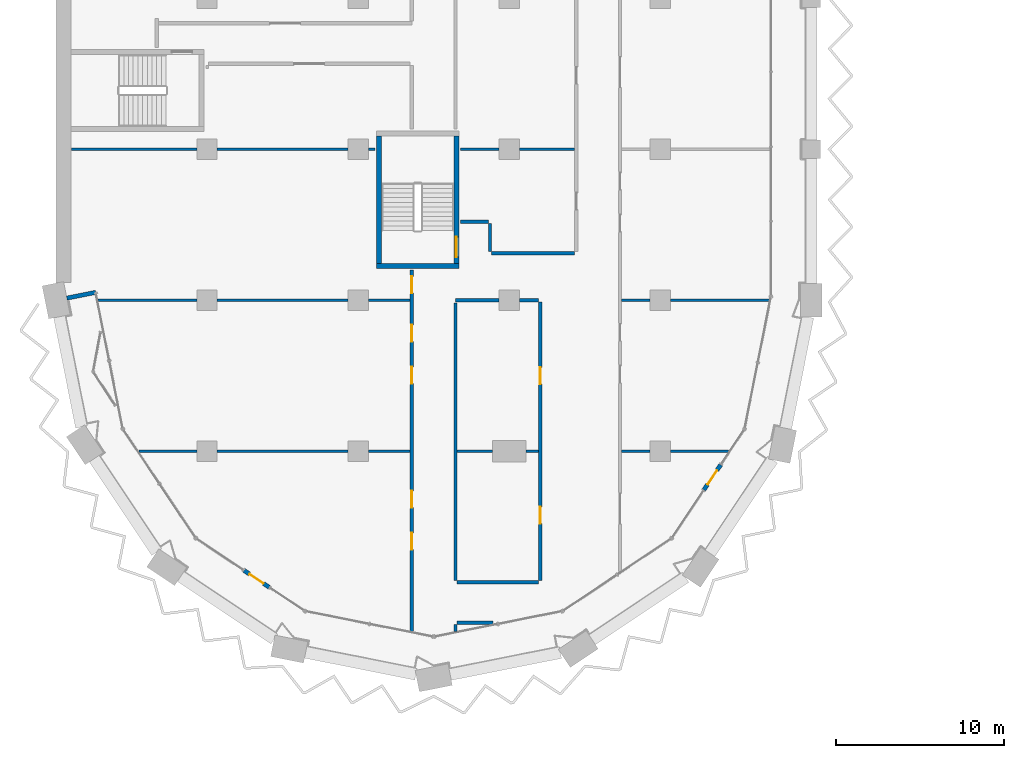
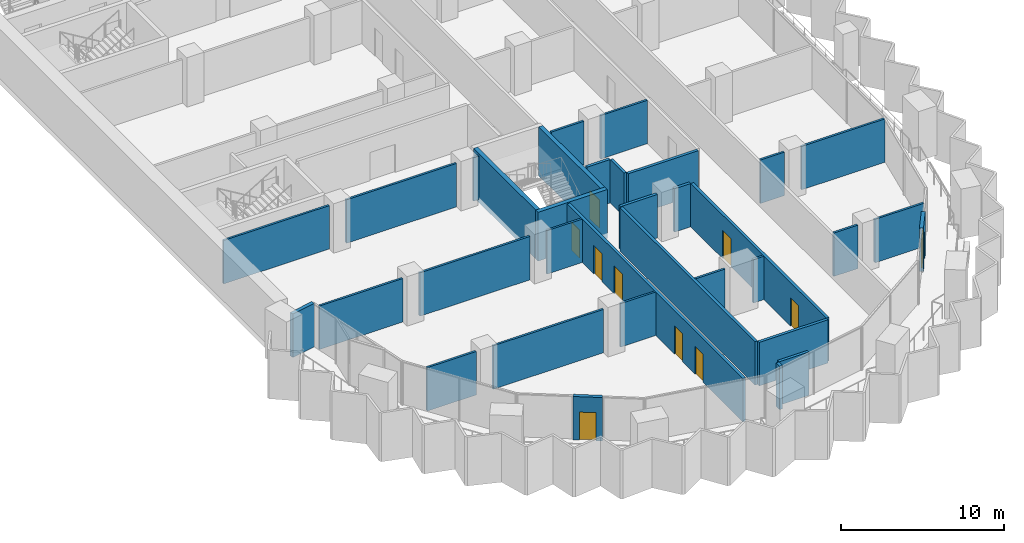
# One storey, part 10 of 22: 34 walls, 10 doors, 10 openings.
"""IFC4 building model written with IfcOpenShell, lengths in metres."""

from ifc_helpers import new_model, si_unit, direction, frame, frame_2d, origin, place, context, subcontext, project, spatial, rectangle, extrude, material, layer, layer_set, type_object, element, fill, save


model = new_model("IFC4")

# Units and contexts
model_context = context("Model", 3, precision=1e-05, world=origin(), true_north=direction((0.0, 1.0)))
body_context = subcontext(model_context, "Body", "Model", "MODEL_VIEW")
ifc_project = project(units=[si_unit("LENGTHUNIT", "METRE"), si_unit("AREAUNIT", "SQUARE_METRE"), si_unit("VOLUMEUNIT", "CUBIC_METRE"), si_unit("PLANEANGLEUNIT", "RADIAN"), si_unit("MASSUNIT", "GRAM", prefix="KILO")], contexts=[model_context])

# Site, building, storey
site_placement = place(None, origin())
site = spatial("IfcSite", under=ifc_project, at=site_placement, CompositionType="ELEMENT")
building_placement = place(site_placement, origin())
building = spatial("IfcBuilding", under=site, at=building_placement, Name="Hunhe Ridgeline Campus", CompositionType="ELEMENT")
storey_placement = place(building_placement, frame((0.0, 0.0, 174.5)))
storey = spatial("IfcBuildingStorey", under=building, at=storey_placement, Name="L44", CompositionType="ELEMENT", Elevation=174.5)

# Walls
ifc_material_1 = material(Name="Concrete C30", Category="concrete")
ifc_layer_1 = layer(ifc_material_1, 0.25)
ifc_layer_set_1 = layer_set([ifc_layer_1], Name="Corner return wall 250 Concrete C30")
wall_type_1 = type_object("IfcWallType", Name="Corner return wall 250 Concrete C30", PredefinedType="SOLIDWALL", material=ifc_layer_set_1)
wall_1_placement = place(storey_placement, frame((0.637451171875, 27.127685546875, 0.0), z_axis=(0.0, 0.0, 1.0), x_axis=(0.980842591884, 0.194801976239, 0.0)))
element("IfcWall", 1, at=wall_1_placement, inside=storey, type_object=wall_type_1, Name="Corner return wall 1", PredefinedType="SOLIDWALL", context=body_context, shape_type="SweptSolid", body=[
    extrude(rectangle(XDim=1.750732421875, YDim=0.25, at=frame_2d((0.87548828125, 0.0))), origin(), (0.0, 0.0, 1.0), 3.25),
])
ifc_material_2 = material(Name="Gypsum board partition")
ifc_layer_2 = layer(ifc_material_2, 0.199951171875)
ifc_layer_set_2 = layer_set([ifc_layer_2], Name="Corridor partition 200 gypsum board on steel studs")
wall_type_2 = type_object("IfcWallType", Name="Corridor partition 200 gypsum board on steel studs", PredefinedType="PARTITIONING", material=ifc_layer_set_2)
wall_2_placement = place(storey_placement, frame((26.021728515625, 7.7900390625, 0.0), z_axis=(0.0, 0.0, 1.0), x_axis=(-1.0, 0.0, 0.0)))
element("IfcWall", 2, at=wall_2_placement, inside=storey, type_object=wall_type_2, Name="F-L44-wall-001", PredefinedType="PARTITIONING", context=body_context, shape_type="SweptSolid", body=[
    extrude(rectangle(XDim=2.121826171875, YDim=0.199951171875, at=frame_2d((1.06103515625, 0.0))), origin(), (0.0, 0.0, 1.0), 3.25),
])
wall_3_placement = place(storey_placement, frame((23.89990234375, 10.18994140625, 0.0), z_axis=(0.0, 0.0, 1.0), x_axis=(1.0, 0.0, 0.0)))
element("IfcWall", 3, at=wall_3_placement, inside=storey, type_object=wall_type_2, Name="F-L44-wall-002", PredefinedType="PARTITIONING", context=body_context, shape_type="SweptSolid", body=[
    extrude(rectangle(XDim=4.85009765625, YDim=0.199951171875, at=frame_2d((2.425048828125, 0.0))), origin(), (0.0, 0.0, 1.0), 3.25),
])
wall_4_placement = place(storey_placement, frame((26.39990234375, 27.0, 0.0), z_axis=(0.0, 0.0, 1.0), x_axis=(-1.0, 0.0, 0.0)))
element("IfcWall", 4, at=wall_4_placement, inside=storey, type_object=wall_type_2, Name="F-L44-wall-010", PredefinedType="PARTITIONING", context=body_context, shape_type="SweptSolid", body=[
    extrude(rectangle(XDim=2.599853515625, YDim=0.199951171875, at=frame_2d((1.2998046875, 0.0))), origin(), (0.0, 0.0, 1.0), 3.25),
])
wall_5_placement = place(storey_placement, frame((28.75, 27.0, 0.0), z_axis=(0.0, 0.0, 1.0), x_axis=(-1.0, 0.0, 0.0)))
element("IfcWall", 5, at=wall_5_placement, inside=storey, type_object=wall_type_2, Name="F-L44-wall-011", PredefinedType="PARTITIONING", context=body_context, shape_type="SweptSolid", body=[
    extrude(rectangle(XDim=1.14990234375, YDim=0.199951171875, at=frame_2d((0.574951171875, 0.0))), origin(), (0.0, 0.0, 1.0), 3.25),
])
wall_6_placement = place(storey_placement, frame((25.949951171875, 29.799072265625, 0.0), z_axis=(0.0, 0.0, 1.0), x_axis=(1.0, 0.0, 0.0)))
element("IfcWall", 6, at=wall_6_placement, inside=storey, type_object=wall_type_2, Name="F-L44-wall-017", PredefinedType="PARTITIONING", context=body_context, shape_type="SweptSolid", body=[
    extrude(rectangle(XDim=4.949951171875, YDim=0.199951171875, at=frame_2d((2.47509765625, 0.0))), origin(), (0.0, 0.0, 1.0), 3.25),
])
wall_7_placement = place(storey_placement, frame((24.10400390625, 31.675048828125, 0.0), z_axis=(0.0, 0.0, 1.0), x_axis=(1.0, 0.0, 0.0)))
element("IfcWall", 7, at=wall_7_placement, inside=storey, type_object=wall_type_2, Name="F-L44-wall-018", PredefinedType="PARTITIONING", context=body_context, shape_type="SweptSolid", body=[
    extrude(rectangle(XDim=1.64599609375, YDim=0.199951171875, at=frame_2d((0.822998046875, 0.0))), origin(), (0.0, 0.0, 1.0), 3.25),
])

# Wall, openings, doors
wall_8_placement = place(storey_placement, frame((21.199951171875, 7.26171875, 0.0), z_axis=(0.0, 0.0, 1.0), x_axis=(0.0, 1.0, 0.0)))
wall_8 = element("IfcWall", 8, at=wall_8_placement, inside=storey, type_object=wall_type_2, Name="F-L44-wall-063", PredefinedType="PARTITIONING", context=body_context, shape_type="SweptSolid", body=[
    extrude(rectangle(XDim=21.5341796875, YDim=0.199951171875, at=frame_2d((10.76708984375, 0.0))), origin(), (0.0, 0.0, 1.0), 3.25),
])
opening_1_placement = place(wall_8_placement, frame((4.883544921875, 0.0, 0.0)))
opening_1 = element("IfcOpeningElement", 9, at=opening_1_placement, cuts=wall_8, Name="Opening RD1-001", PredefinedType="OPENING", context=body_context, shape_type="SweptSolid", body=[
    extrude(rectangle(XDim=1.0, YDim=2.10009765625, at=frame_2d((0.5, 1.050048828125))), frame((0.0, 0.10009765625, 0.0), z_axis=(0.0, -1.0, 0.0), x_axis=(1.0, 0.0, 0.0)), (0.0, 0.0, 1.0), 0.199951171875),
])
opening_2_placement = place(wall_8_placement, frame((7.383544921875, 0.0, 0.0)))
opening_2 = element("IfcOpeningElement", 10, at=opening_2_placement, cuts=wall_8, Name="Opening RD1-004", PredefinedType="OPENING", context=body_context, shape_type="SweptSolid", body=[
    extrude(rectangle(XDim=1.0, YDim=2.10009765625, at=frame_2d((0.5, 1.050048828125))), frame((0.0, 0.10009765625, 0.0), z_axis=(0.0, -1.0, 0.0), x_axis=(1.0, 0.0, 0.0)), (0.0, 0.0, 1.0), 0.199951171875),
])
opening_3_placement = place(wall_8_placement, frame((14.7744140625, 0.0, 0.0)))
opening_3 = element("IfcOpeningElement", 11, at=opening_3_placement, cuts=wall_8, Name="Opening RD1-005", PredefinedType="OPENING", context=body_context, shape_type="SweptSolid", body=[
    extrude(rectangle(XDim=1.0, YDim=2.10009765625, at=frame_2d((0.5, 1.050048828125))), frame((0.0, 0.10009765625, 0.0), z_axis=(0.0, -1.0, 0.0), x_axis=(1.0, 0.0, 0.0)), (0.0, 0.0, 1.0), 0.199951171875),
])
opening_4_placement = place(wall_8_placement, frame((17.2744140625, 0.0, 0.0)))
opening_4 = element("IfcOpeningElement", 12, at=opening_4_placement, cuts=wall_8, Name="Opening RD1-008", PredefinedType="OPENING", context=body_context, shape_type="SweptSolid", body=[
    extrude(rectangle(XDim=1.0, YDim=2.10009765625, at=frame_2d((0.5, 1.050048828125))), frame((0.0, 0.10009765625, 0.0), z_axis=(0.0, -1.0, 0.0), x_axis=(1.0, 0.0, 0.0)), (0.0, 0.0, 1.0), 0.199951171875),
])
opening_5_placement = place(wall_8_placement, frame((20.157958984375, 0.0, 0.0)))
opening_5 = element("IfcOpeningElement", 13, at=opening_5_placement, cuts=wall_8, Name="Opening RD1-010", PredefinedType="OPENING", context=body_context, shape_type="SweptSolid", body=[
    extrude(rectangle(XDim=1.0, YDim=2.10009765625, at=frame_2d((0.5, 1.050048828125))), frame((0.0, 0.10009765625, 0.0), z_axis=(0.0, -1.0, 0.0), x_axis=(1.0, 0.0, 0.0)), (0.0, 0.0, 1.0), 0.199951171875),
])
ifc_material_3 = material(Name="Timber door leaf", Category="wood")
door_type_1 = type_object("IfcDoorType", Name="Single fire door 1000x2100 timber FD60", OperationType="NOTDEFINED", PredefinedType="DOOR", material=ifc_material_3)
door_1_placement = place(opening_1_placement, frame((1.0, 0.0, 0.0), z_axis=(0.0, 0.0, 1.0), x_axis=(-1.0, 0.0, 0.0)))
door_1 = element("IfcDoor", 14, at=door_1_placement, inside=storey, type_object=door_type_1, Name="F-L44-door-001", OperationType="SINGLE_SWING_RIGHT", OverallHeight=2.10009765625, OverallWidth=1.0, PredefinedType="DOOR", context=body_context, shape_type="SweptSolid", body=[
    extrude(rectangle(XDim=1.0, YDim=2.10009765625, at=frame_2d((0.5, 1.050048828125))), frame((0.0, 0.02490234375, 0.0), z_axis=(0.0, -1.0, 0.0), x_axis=(1.0, 0.0, 0.0)), (0.0, 0.0, 1.0), 0.050048828125),
])
fill(opening_1, door_1)
door_2_placement = place(opening_2_placement, frame((1.0, 0.0, 0.0), z_axis=(0.0, 0.0, 1.0), x_axis=(-1.0, 0.0, 0.0)))
door_2 = element("IfcDoor", 15, at=door_2_placement, inside=storey, type_object=door_type_1, Name="F-L44-door-004", OperationType="SINGLE_SWING_LEFT", OverallHeight=2.10009765625, OverallWidth=1.0, PredefinedType="DOOR", context=body_context, shape_type="SweptSolid", body=[
    extrude(rectangle(XDim=1.0, YDim=2.10009765625, at=frame_2d((0.5, 1.050048828125))), frame((0.0, 0.02490234375, 0.0), z_axis=(0.0, -1.0, 0.0), x_axis=(1.0, 0.0, 0.0)), (0.0, 0.0, 1.0), 0.050048828125),
])
fill(opening_2, door_2)
door_3_placement = place(opening_3_placement, frame((1.0, 0.0, 0.0), z_axis=(0.0, 0.0, 1.0), x_axis=(-1.0, 0.0, 0.0)))
door_3 = element("IfcDoor", 16, at=door_3_placement, inside=storey, type_object=door_type_1, Name="F-L44-door-005", OperationType="SINGLE_SWING_LEFT", OverallHeight=2.10009765625, OverallWidth=1.0, PredefinedType="DOOR", context=body_context, shape_type="SweptSolid", body=[
    extrude(rectangle(XDim=1.0, YDim=2.10009765625, at=frame_2d((0.5, 1.050048828125))), frame((0.0, 0.02490234375, 0.0), z_axis=(0.0, -1.0, 0.0), x_axis=(1.0, 0.0, 0.0)), (0.0, 0.0, 1.0), 0.050048828125),
])
fill(opening_3, door_3)
door_4_placement = place(opening_4_placement, frame((1.0, 0.0, 0.0), z_axis=(0.0, 0.0, 1.0), x_axis=(-1.0, 0.0, 0.0)))
door_4 = element("IfcDoor", 17, at=door_4_placement, inside=storey, type_object=door_type_1, Name="F-L44-door-008", OperationType="SINGLE_SWING_LEFT", OverallHeight=2.10009765625, OverallWidth=1.0, PredefinedType="DOOR", context=body_context, shape_type="SweptSolid", body=[
    extrude(rectangle(XDim=1.0, YDim=2.10009765625, at=frame_2d((0.5, 1.050048828125))), frame((0.0, 0.02490234375, 0.0), z_axis=(0.0, -1.0, 0.0), x_axis=(1.0, 0.0, 0.0)), (0.0, 0.0, 1.0), 0.050048828125),
])
fill(opening_4, door_4)
door_5_placement = place(opening_5_placement, frame((1.0, 0.0, 0.0), z_axis=(0.0, 0.0, 1.0), x_axis=(-1.0, 0.0, 0.0)))
door_5 = element("IfcDoor", 18, at=door_5_placement, inside=storey, type_object=door_type_1, Name="F-L44-door-010", OperationType="SINGLE_SWING_LEFT", OverallHeight=2.10009765625, OverallWidth=1.0, PredefinedType="DOOR", context=body_context, shape_type="SweptSolid", body=[
    extrude(rectangle(XDim=1.0, YDim=2.10009765625, at=frame_2d((0.5, 1.050048828125))), frame((0.0, 0.02490234375, 0.0), z_axis=(0.0, -1.0, 0.0), x_axis=(1.0, 0.0, 0.0)), (0.0, 0.0, 1.0), 0.050048828125),
])
fill(opening_5, door_5)

# Walls
wall_9_placement = place(storey_placement, frame((23.800048828125, 7.68994140625, 0.0), z_axis=(0.0, 0.0, 1.0), x_axis=(0.0, -1.0, 0.0)))
element("IfcWall", 19, at=wall_9_placement, inside=storey, type_object=wall_type_2, Name="F-L44-wall-066", PredefinedType="PARTITIONING", context=body_context, shape_type="SweptSolid", body=[
    extrude(rectangle(XDim=0.42822265625, YDim=0.199951171875, at=frame_2d((0.214111328125, 0.0))), origin(), (0.0, 0.0, 1.0), 3.25),
])
wall_10_placement = place(storey_placement, frame((23.800048828125, 26.83837890625, 0.0), z_axis=(0.0, 0.0, 1.0), x_axis=(0.0, -1.0, 0.0)))
element("IfcWall", 20, at=wall_10_placement, inside=storey, type_object=wall_type_2, Name="F-L44-wall-067", PredefinedType="PARTITIONING", context=body_context, shape_type="SweptSolid", body=[
    extrude(rectangle(XDim=16.54833984375, YDim=0.199951171875, at=frame_2d((8.274169921875, 0.0))), origin(), (0.0, 0.0, 1.0), 3.25),
])
wall_11_placement = place(storey_placement, frame((25.85009765625, 31.574951171875, 0.0), z_axis=(0.0, 0.0, 1.0), x_axis=(0.0, -1.0, 0.0)))
element("IfcWall", 21, at=wall_11_placement, inside=storey, type_object=wall_type_2, Name="F-L44-wall-069", PredefinedType="PARTITIONING", context=body_context, shape_type="SweptSolid", body=[
    extrude(rectangle(XDim=1.676025390625, YDim=0.199951171875, at=frame_2d((0.837890625, 0.0))), origin(), (0.0, 0.0, 1.0), 3.25),
])

# Wall, openings, doors
wall_12_placement = place(storey_placement, frame((28.85009765625, 10.2900390625, 0.0), z_axis=(0.0, 0.0, 1.0), x_axis=(0.0, 1.0, 0.0)))
wall_12 = element("IfcWall", 22, at=wall_12_placement, inside=storey, type_object=wall_type_2, Name="F-L44-wall-070", PredefinedType="PARTITIONING", context=body_context, shape_type="SweptSolid", body=[
    extrude(rectangle(XDim=16.60986328125, YDim=0.199951171875, at=frame_2d((8.304931640625, 0.0))), origin(), (0.0, 0.0, 1.0), 3.25),
])
opening_6_placement = place(wall_12_placement, frame((3.40087890625, 0.0, 0.0)))
opening_6 = element("IfcOpeningElement", 23, at=opening_6_placement, cuts=wall_12, Name="Opening RD1-002", PredefinedType="OPENING", context=body_context, shape_type="SweptSolid", body=[
    extrude(rectangle(XDim=1.0, YDim=2.10009765625, at=frame_2d((0.5, 1.050048828125))), frame((0.0, 0.10009765625, 0.0), z_axis=(0.0, -1.0, 0.0), x_axis=(1.0, 0.0, 0.0)), (0.0, 0.0, 1.0), 0.199951171875),
])
opening_7_placement = place(wall_12_placement, frame((11.705810546875, 0.0, 0.0)))
opening_7 = element("IfcOpeningElement", 24, at=opening_7_placement, cuts=wall_12, Name="Opening RD1-006", PredefinedType="OPENING", context=body_context, shape_type="SweptSolid", body=[
    extrude(rectangle(XDim=1.0, YDim=2.10009765625, at=frame_2d((0.5, 1.050048828125))), frame((0.0, 0.10009765625, 0.0), z_axis=(0.0, -1.0, 0.0), x_axis=(1.0, 0.0, 0.0)), (0.0, 0.0, 1.0), 0.199951171875),
])
door_6_placement = place(opening_6_placement, origin())
door_6 = element("IfcDoor", 25, at=door_6_placement, inside=storey, type_object=door_type_1, Name="F-L44-door-002", OperationType="SINGLE_SWING_RIGHT", OverallHeight=2.10009765625, OverallWidth=1.0, PredefinedType="DOOR", context=body_context, shape_type="SweptSolid", body=[
    extrude(rectangle(XDim=1.0, YDim=2.10009765625, at=frame_2d((0.5, 1.050048828125))), frame((0.0, 0.02490234375, 0.0), z_axis=(0.0, -1.0, 0.0), x_axis=(1.0, 0.0, 0.0)), (0.0, 0.0, 1.0), 0.050048828125),
])
fill(opening_6, door_6)
door_7_placement = place(opening_7_placement, origin())
door_7 = element("IfcDoor", 26, at=door_7_placement, inside=storey, type_object=door_type_1, Name="F-L44-door-006", OperationType="SINGLE_SWING_RIGHT", OverallHeight=2.10009765625, OverallWidth=1.0, PredefinedType="DOOR", context=body_context, shape_type="SweptSolid", body=[
    extrude(rectangle(XDim=1.0, YDim=2.10009765625, at=frame_2d((0.5, 1.050048828125))), frame((0.0, 0.02490234375, 0.0), z_axis=(0.0, -1.0, 0.0), x_axis=(1.0, 0.0, 0.0)), (0.0, 0.0, 1.0), 0.050048828125),
])
fill(opening_7, door_7)

# Wall, opening, door
ifc_layer_3 = layer(ifc_material_1, 0.25)
ifc_layer_set_3 = layer_set([ifc_layer_3], Name="Loggia door pier wall 250 Concrete C30")
wall_type_3 = type_object("IfcWallType", Name="Loggia door pier wall 250 Concrete C30", PredefinedType="SOLIDWALL", material=ifc_layer_set_3)
wall_13_placement = place(storey_placement, frame((11.19970703125, 10.897705078125, 0.0), z_axis=(0.0, 0.0, 1.0), x_axis=(0.83146554274, -0.555576323502, 0.0)))
wall_13 = element("IfcWall", 27, at=wall_13_placement, inside=storey, type_object=wall_type_3, Name="Loggia door pier 1", PredefinedType="SOLIDWALL", context=body_context, shape_type="SweptSolid", body=[
    extrude(rectangle(XDim=1.800048828125, YDim=0.25, at=frame_2d((0.89990234375, 0.0))), origin(), (0.0, 0.0, 1.0), 3.25),
])
opening_8_placement = place(wall_13_placement, frame((0.39990234375, 0.0, 0.0)))
opening_8 = element("IfcOpeningElement", 28, at=opening_8_placement, cuts=wall_13, Name="Opening BD302", PredefinedType="OPENING", context=body_context, shape_type="SweptSolid", body=[
    extrude(rectangle(XDim=1.0, YDim=2.10009765625, at=frame_2d((0.5, 1.050048828125))), frame((0.0, 0.125, 0.0), z_axis=(0.0, -1.0, 0.0), x_axis=(1.0, 0.0, 0.0)), (0.0, 0.0, 1.0), 0.25),
])
ifc_material_4 = material(Name="Aluminium 6063", Category="aluminium")
door_type_2 = type_object("IfcDoorType", Name="Loggia glazed door 1000x2100", OperationType="NOTDEFINED", PredefinedType="DOOR", material=ifc_material_4)
door_8_placement = place(opening_8_placement, frame((1.0, 0.0, 0.0), z_axis=(0.0, 0.0, 1.0), x_axis=(-1.0, 0.0, 0.0)))
door_8 = element("IfcDoor", 29, at=door_8_placement, inside=storey, type_object=door_type_2, Name="Loggia door BD302", OperationType="SINGLE_SWING_LEFT", OverallHeight=2.10009765625, OverallWidth=1.0, PredefinedType="DOOR", context=body_context, shape_type="SweptSolid", body=[
    extrude(rectangle(XDim=1.0, YDim=2.10009765625, at=frame_2d((0.5, 1.050048828125))), frame((0.0, 0.02490234375, 0.0), z_axis=(0.0, -1.0, 0.0), x_axis=(1.0, 0.0, 0.0)), (0.0, 0.0, 1.0), 0.050048828125),
])
fill(opening_8, door_8)

wall_14_placement = place(storey_placement, frame((38.602294921875, 15.69970703125, 0.0), z_axis=(0.0, 0.0, 1.0), x_axis=(0.555576323502, 0.83146554274, 0.0)))
wall_14 = element("IfcWall", 30, at=wall_14_placement, inside=storey, type_object=wall_type_3, Name="Loggia door pier 2", PredefinedType="SOLIDWALL", context=body_context, shape_type="SweptSolid", body=[
    extrude(rectangle(XDim=1.800048828125, YDim=0.25, at=frame_2d((0.89990234375, 0.0))), origin(), (0.0, 0.0, 1.0), 3.25),
])
opening_9_placement = place(wall_14_placement, frame((0.39990234375, 0.0, 0.0)))
opening_9 = element("IfcOpeningElement", 31, at=opening_9_placement, cuts=wall_14, Name="Opening BD304", PredefinedType="OPENING", context=body_context, shape_type="SweptSolid", body=[
    extrude(rectangle(XDim=1.0, YDim=2.10009765625, at=frame_2d((0.5, 1.050048828125))), frame((0.0, 0.125, 0.0), z_axis=(0.0, -1.0, 0.0), x_axis=(1.0, 0.0, 0.0)), (0.0, 0.0, 1.0), 0.25),
])
door_9_placement = place(opening_9_placement, frame((1.0, 0.0, 0.0), z_axis=(0.0, 0.0, 1.0), x_axis=(-1.0, 0.0, 0.0)))
door_9 = element("IfcDoor", 32, at=door_9_placement, inside=storey, type_object=door_type_2, Name="Loggia door BD304", OperationType="SINGLE_SWING_LEFT", OverallHeight=2.10009765625, OverallWidth=1.0, PredefinedType="DOOR", context=body_context, shape_type="SweptSolid", body=[
    extrude(rectangle(XDim=1.0, YDim=2.10009765625, at=frame_2d((0.5, 1.050048828125))), frame((0.0, 0.02490234375, 0.0), z_axis=(0.0, -1.0, 0.0), x_axis=(1.0, 0.0, 0.0)), (0.0, 0.0, 1.0), 0.050048828125),
])
fill(opening_9, door_9)

# Walls
ifc_layer_4 = layer(ifc_material_2, 0.14990234375)
ifc_layer_set_4 = layer_set([ifc_layer_4], Name="Room partition 150 gypsum board on steel studs")
wall_type_4 = type_object("IfcWallType", Name="Room partition 150 gypsum board on steel studs", PredefinedType="PARTITIONING", material=ifc_layer_set_4)
wall_15_placement = place(storey_placement, frame((4.925537109375, 18.0, 0.0), z_axis=(0.0, 0.0, 1.0), x_axis=(1.0, 0.0, 0.0)))
element("IfcWall", 33, at=wall_15_placement, inside=storey, type_object=wall_type_4, Name="F-L44-wall-003", PredefinedType="PARTITIONING", context=body_context, shape_type="SweptSolid", body=[
    extrude(rectangle(XDim=3.474365234375, YDim=0.14990234375, at=frame_2d((1.7373046875, 0.0))), origin(), (0.0, 0.0, 1.0), 3.25),
])
wall_16_placement = place(storey_placement, frame((9.60009765625, 18.0, 0.0), z_axis=(0.0, 0.0, 1.0), x_axis=(1.0, 0.0, 0.0)))
element("IfcWall", 34, at=wall_16_placement, inside=storey, type_object=wall_type_4, Name="F-L44-wall-004", PredefinedType="PARTITIONING", context=body_context, shape_type="SweptSolid", body=[
    extrude(rectangle(XDim=7.7998046875, YDim=0.14990234375, at=frame_2d((3.89990234375, 0.0))), origin(), (0.0, 0.0, 1.0), 3.25),
])
wall_17_placement = place(storey_placement, frame((18.60009765625, 18.0, 0.0), z_axis=(0.0, 0.0, 1.0), x_axis=(1.0, 0.0, 0.0)))
element("IfcWall", 35, at=wall_17_placement, inside=storey, type_object=wall_type_4, Name="F-L44-wall-005", PredefinedType="PARTITIONING", context=body_context, shape_type="SweptSolid", body=[
    extrude(rectangle(XDim=2.5, YDim=0.14990234375, at=frame_2d((1.25, 0.0))), origin(), (0.0, 0.0, 1.0), 3.25),
])
wall_18_placement = place(storey_placement, frame((23.89990234375, 18.0, 0.0), z_axis=(0.0, 0.0, 1.0), x_axis=(1.0, 0.0, 0.0)))
element("IfcWall", 36, at=wall_18_placement, inside=storey, type_object=wall_type_4, Name="F-L44-wall-006", PredefinedType="PARTITIONING", context=body_context, shape_type="SweptSolid", body=[
    extrude(rectangle(XDim=2.10009765625, YDim=0.14990234375, at=frame_2d((1.050048828125, 0.0))), origin(), (0.0, 0.0, 1.0), 3.25),
])
wall_19_placement = place(storey_placement, frame((28.0, 18.0, 0.0), z_axis=(0.0, 0.0, 1.0), x_axis=(1.0, 0.0, 0.0)))
element("IfcWall", 37, at=wall_19_placement, inside=storey, type_object=wall_type_4, Name="F-L44-wall-007", PredefinedType="PARTITIONING", context=body_context, shape_type="SweptSolid", body=[
    extrude(rectangle(XDim=0.75, YDim=0.14990234375, at=frame_2d((0.375, 0.0))), origin(), (0.0, 0.0, 1.0), 3.25),
])
wall_20_placement = place(storey_placement, frame((33.699951171875, 18.0, 0.0), z_axis=(0.0, 0.0, 1.0), x_axis=(1.0, 0.0, 0.0)))
element("IfcWall", 38, at=wall_20_placement, inside=storey, type_object=wall_type_4, Name="F-L44-wall-008", PredefinedType="PARTITIONING", context=body_context, shape_type="SweptSolid", body=[
    extrude(rectangle(XDim=1.699951171875, YDim=0.14990234375, at=frame_2d((0.85009765625, 0.0))), origin(), (0.0, 0.0, 1.0), 3.25),
])
wall_21_placement = place(storey_placement, frame((36.60009765625, 18.0, 0.0), z_axis=(0.0, 0.0, 1.0), x_axis=(1.0, 0.0, 0.0)))
element("IfcWall", 39, at=wall_21_placement, inside=storey, type_object=wall_type_4, Name="F-L44-wall-009", PredefinedType="PARTITIONING", context=body_context, shape_type="SweptSolid", body=[
    extrude(rectangle(XDim=3.474365234375, YDim=0.14990234375, at=frame_2d((1.7373046875, 0.0))), origin(), (0.0, 0.0, 1.0), 3.25),
])
wall_22_placement = place(storey_placement, frame((2.503173828125, 27.0, 0.0), z_axis=(0.0, 0.0, 1.0), x_axis=(1.0, 0.0, 0.0)))
element("IfcWall", 40, at=wall_22_placement, inside=storey, type_object=wall_type_4, Name="F-L44-wall-012", PredefinedType="PARTITIONING", context=body_context, shape_type="SweptSolid", body=[
    extrude(rectangle(XDim=5.896728515625, YDim=0.14990234375, at=frame_2d((2.9482421875, 0.0))), origin(), (0.0, 0.0, 1.0), 3.25),
])
wall_23_placement = place(storey_placement, frame((9.60009765625, 27.0, 0.0), z_axis=(0.0, 0.0, 1.0), x_axis=(1.0, 0.0, 0.0)))
element("IfcWall", 41, at=wall_23_placement, inside=storey, type_object=wall_type_4, Name="F-L44-wall-013", PredefinedType="PARTITIONING", context=body_context, shape_type="SweptSolid", body=[
    extrude(rectangle(XDim=7.7998046875, YDim=0.14990234375, at=frame_2d((3.89990234375, 0.0))), origin(), (0.0, 0.0, 1.0), 3.25),
])
wall_24_placement = place(storey_placement, frame((18.60009765625, 27.0, 0.0), z_axis=(0.0, 0.0, 1.0), x_axis=(1.0, 0.0, 0.0)))
element("IfcWall", 42, at=wall_24_placement, inside=storey, type_object=wall_type_4, Name="F-L44-wall-014", PredefinedType="PARTITIONING", context=body_context, shape_type="SweptSolid", body=[
    extrude(rectangle(XDim=2.5, YDim=0.14990234375, at=frame_2d((1.25, 0.0))), origin(), (0.0, 0.0, 1.0), 3.25),
])
wall_25_placement = place(storey_placement, frame((33.699951171875, 27.0, 0.0), z_axis=(0.0, 0.0, 1.0), x_axis=(1.0, 0.0, 0.0)))
element("IfcWall", 43, at=wall_25_placement, inside=storey, type_object=wall_type_4, Name="F-L44-wall-015", PredefinedType="PARTITIONING", context=body_context, shape_type="SweptSolid", body=[
    extrude(rectangle(XDim=1.699951171875, YDim=0.14990234375, at=frame_2d((0.85009765625, 0.0))), origin(), (0.0, 0.0, 1.0), 3.25),
])
wall_26_placement = place(storey_placement, frame((36.60009765625, 27.0, 0.0), z_axis=(0.0, 0.0, 1.0), x_axis=(1.0, 0.0, 0.0)))
element("IfcWall", 44, at=wall_26_placement, inside=storey, type_object=wall_type_4, Name="F-L44-wall-016", PredefinedType="PARTITIONING", context=body_context, shape_type="SweptSolid", body=[
    extrude(rectangle(XDim=5.896728515625, YDim=0.14990234375, at=frame_2d((2.9482421875, 0.0))), origin(), (0.0, 0.0, 1.0), 3.25),
])
wall_27_placement = place(storey_placement, frame((0.919921875, 36.0, 0.0), z_axis=(0.0, 0.0, 1.0), x_axis=(1.0, 0.0, 0.0)))
element("IfcWall", 45, at=wall_27_placement, inside=storey, type_object=wall_type_4, Name="F-L44-wall-019", PredefinedType="PARTITIONING", context=body_context, shape_type="SweptSolid", body=[
    extrude(rectangle(XDim=7.47998046875, YDim=0.14990234375, at=frame_2d((3.739990234375, 0.0))), origin(), (0.0, 0.0, 1.0), 3.25),
])
wall_28_placement = place(storey_placement, frame((9.60009765625, 36.0, 0.0), z_axis=(0.0, 0.0, 1.0), x_axis=(1.0, 0.0, 0.0)))
element("IfcWall", 46, at=wall_28_placement, inside=storey, type_object=wall_type_4, Name="F-L44-wall-020", PredefinedType="PARTITIONING", context=body_context, shape_type="SweptSolid", body=[
    extrude(rectangle(XDim=7.7998046875, YDim=0.14990234375, at=frame_2d((3.89990234375, 0.0))), origin(), (0.0, 0.0, 1.0), 3.25),
])
wall_29_placement = place(storey_placement, frame((18.60009765625, 36.0, 0.0), z_axis=(0.0, 0.0, 1.0), x_axis=(1.0, 0.0, 0.0)))
element("IfcWall", 47, at=wall_29_placement, inside=storey, type_object=wall_type_4, Name="F-L44-wall-021", PredefinedType="PARTITIONING", context=body_context, shape_type="SweptSolid", body=[
    extrude(rectangle(XDim=0.39599609375, YDim=0.14990234375, at=frame_2d((0.197998046875, 0.0))), origin(), (0.0, 0.0, 1.0), 3.25),
])
wall_30_placement = place(storey_placement, frame((24.10400390625, 36.0, 0.0), z_axis=(0.0, 0.0, 1.0), x_axis=(1.0, 0.0, 0.0)))
element("IfcWall", 48, at=wall_30_placement, inside=storey, type_object=wall_type_4, Name="F-L44-wall-022", PredefinedType="PARTITIONING", context=body_context, shape_type="SweptSolid", body=[
    extrude(rectangle(XDim=2.2958984375, YDim=0.14990234375, at=frame_2d((1.14794921875, 0.0))), origin(), (0.0, 0.0, 1.0), 3.25),
])
wall_31_placement = place(storey_placement, frame((27.60009765625, 36.0, 0.0), z_axis=(0.0, 0.0, 1.0), x_axis=(1.0, 0.0, 0.0)))
element("IfcWall", 49, at=wall_31_placement, inside=storey, type_object=wall_type_4, Name="F-L44-wall-023", PredefinedType="PARTITIONING", context=body_context, shape_type="SweptSolid", body=[
    extrude(rectangle(XDim=3.2998046875, YDim=0.14990234375, at=frame_2d((1.64990234375, 0.0))), origin(), (0.0, 0.0, 1.0), 3.25),
])
ifc_material_5 = material(Name="Concrete C70", Category="concrete")
ifc_layer_5 = layer(ifc_material_5, 0.300048828125)
ifc_layer_set_5 = layer_set([ifc_layer_5], Name="Stair wall 300 reinforced concrete C70")
wall_type_5 = type_object("IfcWallType", Name="Stair wall 300 reinforced concrete C70", PredefinedType="SOLIDWALL", material=ifc_layer_set_5)
wall_32_placement = place(storey_placement, frame((19.10009765625, 29.050048828125, -0.39990234375), z_axis=(0.0, 0.0, 1.0), x_axis=(1.0, 0.0, 0.0)))
element("IfcWall", 50, at=wall_32_placement, inside=storey, type_object=wall_type_5, Name="L44 core wall 1", PredefinedType="SOLIDWALL", context=body_context, shape_type="SweptSolid", body=[
    extrude(rectangle(XDim=4.89990234375, YDim=0.300048828125, at=frame_2d((2.449951171875, 0.0))), origin(), (0.0, 0.0, 1.0), 3.64990234375),
])
wall_33_placement = place(storey_placement, frame((19.25, 29.199951171875, -0.39990234375), z_axis=(0.0, 0.0, 1.0), x_axis=(0.0, 1.0, 0.0)))
element("IfcWall", 51, at=wall_33_placement, inside=storey, type_object=wall_type_5, Name="L44 core wall 47", PredefinedType="SOLIDWALL", context=body_context, shape_type="SweptSolid", body=[
    extrude(rectangle(XDim=7.60009765625, YDim=0.300048828125, at=frame_2d((3.800048828125, 0.0))), origin(), (0.0, 0.0, 1.0), 3.64990234375),
])

# Wall, opening, door
wall_34_placement = place(storey_placement, frame((23.85009765625, 29.199951171875, -0.39990234375), z_axis=(0.0, 0.0, 1.0), x_axis=(0.0, 1.0, 0.0)))
wall_34 = element("IfcWall", 52, at=wall_34_placement, inside=storey, type_object=wall_type_5, Name="L44 core wall 52", PredefinedType="SOLIDWALL", context=body_context, shape_type="SweptSolid", body=[
    extrude(rectangle(XDim=7.60009765625, YDim=0.300048828125, at=frame_2d((3.800048828125, 0.0))), origin(), (0.0, 0.0, 1.0), 3.64990234375),
])
opening_10_placement = place(wall_34_placement, frame((0.375, 0.0, 0.39990234375)))
opening_10 = element("IfcOpeningElement", 53, at=opening_10_placement, cuts=wall_34, Name="Opening CD23", PredefinedType="OPENING", context=body_context, shape_type="SweptSolid", body=[
    extrude(rectangle(XDim=1.199951171875, YDim=2.10009765625, at=frame_2d((0.60009765625, 1.050048828125))), frame((0.0, 0.14990234375, 0.0), z_axis=(0.0, -1.0, 0.0), x_axis=(1.0, 0.0, 0.0)), (0.0, 0.0, 1.0), 0.300048828125),
])
ifc_material_6 = material(Name="Hollow metal fire door leaf")
door_type_3 = type_object("IfcDoorType", Name="Stair door 1200x2100 FD60", OperationType="SINGLE_SWING_LEFT", PredefinedType="DOOR", material=ifc_material_6)
door_10_placement = place(opening_10_placement, frame((1.199951171875, 0.0, 0.0), z_axis=(0.0, 0.0, 1.0), x_axis=(-1.0, 0.0, 0.0)))
door_10 = element("IfcDoor", 54, at=door_10_placement, inside=storey, type_object=door_type_3, Name="L44 door W3", OperationType="SINGLE_SWING_RIGHT", OverallHeight=2.10009765625, OverallWidth=1.199951171875, PredefinedType="DOOR", context=body_context, shape_type="SweptSolid", body=[
    extrude(rectangle(XDim=1.199951171875, YDim=2.10009765625, at=frame_2d((0.60009765625, 1.050048828125))), frame((0.0, 0.02490234375, 0.0), z_axis=(0.0, -1.0, 0.0), x_axis=(1.0, 0.0, 0.0)), (0.0, 0.0, 1.0), 0.050048828125),
])
fill(opening_10, door_10)

save(model, "model.ifc")
